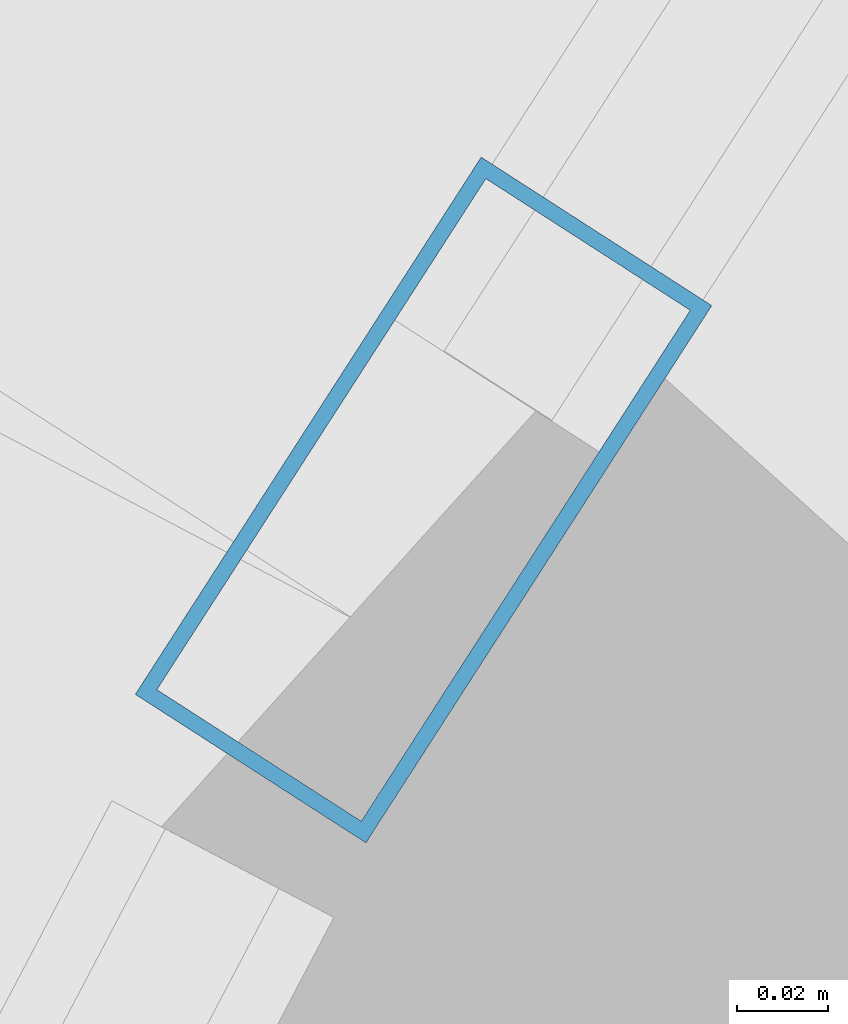
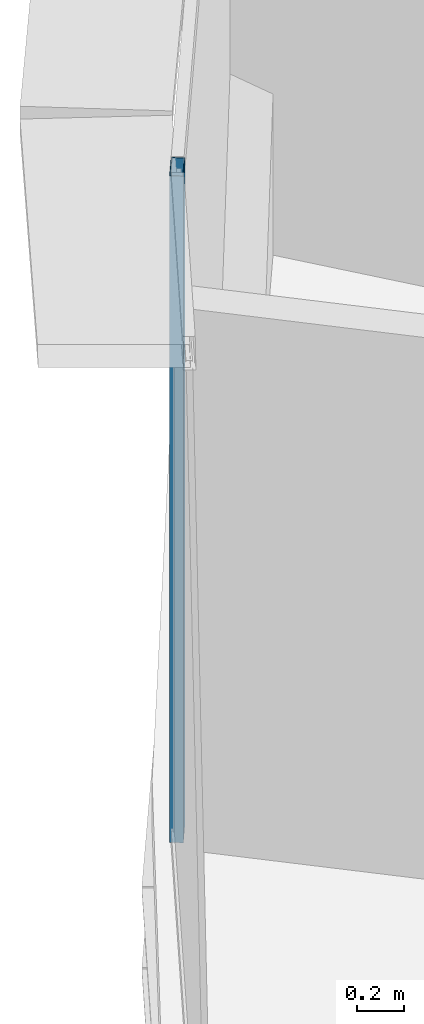
# One storey, part 14 of 34: 1 member, 1 element without a shape of its own.
"""IFC4 building model written with IfcOpenShell, lengths in metres."""

from ifc_helpers import new_model, si_unit, direction, frame, origin, origin_2d, place, context, subcontext, project, spatial, hollow_rectangle, extrude, source, transform, mapped, material, layer, layer_set, material_profile, profile_set, type_object, element, aggregate, save


model = new_model("IFC4")

# Units and contexts
model_context = context("Model", 3, precision=1e-05, world=origin(), true_north=direction((0.0, 1.0)))
body_context = subcontext(model_context, "Body", "Model", "MODEL_VIEW")
ifc_project = project(units=[si_unit("LENGTHUNIT", "METRE"), si_unit("AREAUNIT", "SQUARE_METRE"), si_unit("VOLUMEUNIT", "CUBIC_METRE"), si_unit("PLANEANGLEUNIT", "RADIAN"), si_unit("MASSUNIT", "GRAM", prefix="KILO"), si_unit("THERMODYNAMICTEMPERATUREUNIT", "KELVIN"), si_unit("POWERUNIT", "WATT")], contexts=[model_context])

# Site, building, storey
site_placement = place(None, origin())
site = spatial("IfcSite", under=ifc_project, at=site_placement, CompositionType="ELEMENT")
building_placement = place(site_placement, origin())
building = spatial("IfcBuilding", under=site, at=building_placement, Name="Yunzhuo Pagoda Commons", CompositionType="ELEMENT")
storey_placement = place(building_placement, frame((0.0, 0.0, 229.610107421875)))
storey = spatial("IfcBuildingStorey", under=building, at=storey_placement, Name="L57", CompositionType="ELEMENT", Elevation=229.610107421875)

# Curtain wall, member
ifc_material = material(Name="Anodized aluminium 6063-T6", Category="aluminium")
ifc_layer = layer(ifc_material, 0.139892578125)
ifc_layer_set = layer_set([ifc_layer], Name="Anodized aluminium 6063-T6")
curtain_wall_type = type_object("IfcCurtainWallType", Name="CW-HI High-Zone Ribbon Curtain Wall", PredefinedType="NOTDEFINED", material=ifc_layer_set)
curtain_wall_placement = place(storey_placement, origin())
curtain_wall = element("IfcCurtainWall", 1, at=curtain_wall_placement, inside=storey, type_object=curtain_wall_type, Name="L57 curtain wall CW-L57-F3B2", PredefinedType="NOTDEFINED")
ifc_material_profile = material_profile(ifc_material, hollow_rectangle(XDim=0.06005859375, YDim=0.139892578125, WallThickness=0.00341796875, at=origin_2d()), Name="Anodized aluminium 6063-T6")
ifc_profile_set = profile_set([ifc_material_profile], Name="Anodized aluminium 6063-T6")
member_type = type_object("IfcMemberType", Name="CW-HI-M Mullion RHS 140x60x3.5", PredefinedType="MULLION", material=ifc_profile_set)
shared_shape = source(origin(), body_context, "Body", "SweptSolid", [
    extrude(hollow_rectangle(XDim=0.06005859375, YDim=0.139892578125, WallThickness=0.00341796875, at=origin_2d()), origin(), (0.0, 0.0, 1.0), 3.469970703125),
])
member_placement = place(storey_placement, frame((25.0947265625, 54.364013671875, 0.0), z_axis=(0.0, 0.0, 1.0), x_axis=(0.840807373352, -0.541334426133, 0.0)))
member = element("IfcMember", 2, at=member_placement, type_object=member_type, Name="CW mullion 2", PredefinedType="MULLION", context=body_context, shape_type="MappedRepresentation", body=[
    mapped(shared_shape, transform((0.0, 0.0, 0.0), scale=1.0)),
])
aggregate(curtain_wall, [member])

save(model, "model.ifc")
